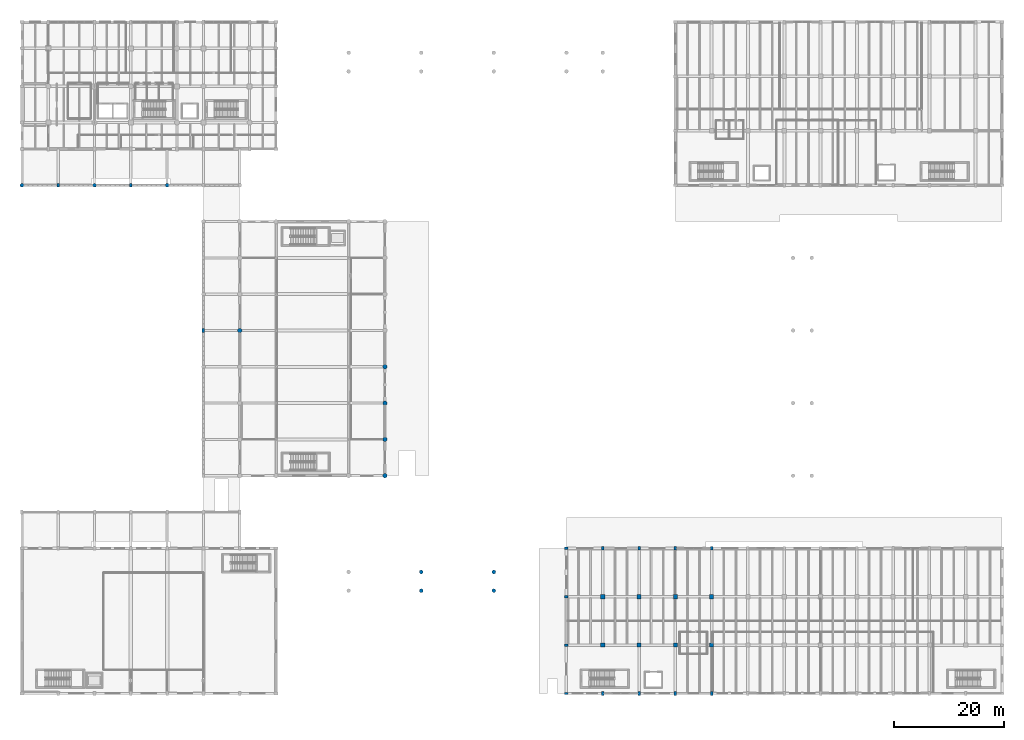
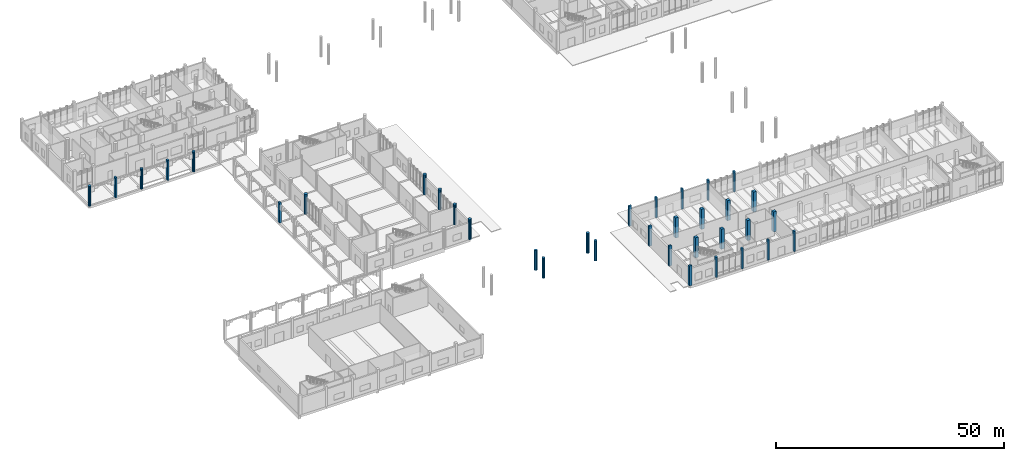
# One storey, part 3 of 72: 35 columns.
"""IFC4 building model written with IfcOpenShell, lengths in metres."""

from ifc_helpers import new_model, si_unit, direction, frame, origin, origin_2d, place, context, subcontext, project, spatial, rectangle, circle, extrude, material, material_profile, profile_set, type_object, element, save


model = new_model("IFC4")

# Units and contexts
model_context = context("Model", 3, precision=1e-05, world=origin(), true_north=direction((0.0, 1.0)))
body_context = subcontext(model_context, "Body", "Model", "MODEL_VIEW")
ifc_project = project(units=[si_unit("LENGTHUNIT", "METRE"), si_unit("AREAUNIT", "SQUARE_METRE"), si_unit("VOLUMEUNIT", "CUBIC_METRE"), si_unit("PLANEANGLEUNIT", "RADIAN"), si_unit("MASSUNIT", "GRAM", prefix="KILO")], contexts=[model_context])

# Site, building, storey
site_placement = place(None, origin())
site = spatial("IfcSite", under=ifc_project, at=site_placement, CompositionType="ELEMENT")
building_placement = place(site_placement, origin())
building = spatial("IfcBuilding", under=site, at=building_placement, Name="Dornvale Research Institute", CompositionType="ELEMENT")
storey_placement = place(building_placement, origin())
storey = spatial("IfcBuildingStorey", under=building, at=storey_placement, Name="L00", CompositionType="ELEMENT", Elevation=0.0)

# Columns
ifc_material_1 = material(Name="Concrete f'c 50 MPa (C40/50)", Category="concrete")
ifc_material_profile_1 = material_profile(ifc_material_1, rectangle(XDim=0.75, YDim=0.75, at=origin_2d()), Name="RC 750x750")
ifc_profile_set_1 = profile_set([ifc_material_profile_1], Name="Concrete f'c 50 MPa (C40/50)")
column_type_1 = type_object("IfcColumnType", Name="Column_RC750", PredefinedType="COLUMN", material=ifc_profile_set_1)
for number, where, z_axis, x_axis, name in (
    (1, (105.60009765625, 8.800048828125, 0.0), (0.0, 0.0, 1.0), (1.0, 0.0, 0.0), "L00 column #783"),
    (2, (105.60009765625, 17.60009765625, 0.0), (0.0, 0.0, 1.0), (1.0, 0.0, 0.0), "L00 column #784"),
    (3, (112.199951171875, 8.800048828125, 0.0), (0.0, 0.0, 1.0), (1.0, 0.0, 0.0), "L00 column #787"),
    (4, (112.199951171875, 17.60009765625, 0.0), (0.0, 0.0, 1.0), (1.0, 0.0, 0.0), "L00 column #788"),
    (5, (118.800048828125, 8.800048828125, 0.0), (0.0, 0.0, 1.0), (1.0, 0.0, 0.0), "L00 column #791"),
    (6, (118.800048828125, 17.60009765625, 0.0), (0.0, 0.0, 1.0), (1.0, 0.0, 0.0), "L00 column #792"),
    (7, (125.39990234375, 8.800048828125, 0.0), (0.0, 0.0, 1.0), (1.0, 0.0, 0.0), "L00 column #795"),
    (8, (125.39990234375, 17.60009765625, 0.0), (0.0, 0.0, 1.0), (1.0, 0.0, 0.0), "L00 column #796"),
):
    element("IfcColumn", number, at=place(storey_placement, frame(where, z_axis=z_axis, x_axis=x_axis)), inside=storey, type_object=column_type_1, Name=name, PredefinedType="COLUMN", context=body_context, shape_type="SweptSolid", body=[
        extrude(rectangle(XDim=0.75, YDim=0.75, at=origin_2d()), origin(), (0.0, 0.0, 1.0), 5.39990234375),
    ])
ifc_material_2 = material(Name="Concrete f'c 45 MPa (C35/45)", Category="concrete")
ifc_material_profile_2 = material_profile(ifc_material_2, circle(Radius=0.39990234375, at=origin_2d()), Name="RC DIA 800")
ifc_profile_set_2 = profile_set([ifc_material_profile_2], Name="Concrete f'c 45 MPa (C35/45)")
column_type_2 = type_object("IfcColumnType", Name="Column_RCDia800_Ext", PredefinedType="COLUMN", material=ifc_profile_set_2)
for number, where, z_axis, x_axis, name in (
    (9, (39.60009765625, 66.0, 0.0), (0.0, 0.0, 1.0), (1.0, 0.0, 0.0), "L00 column #1022"),
    (10, (66.0, 39.60009765625, 0.0), (0.0, 0.0, 1.0), (1.0, 0.0, 0.0), "L00 column #1042"),
    (11, (66.0, 46.199951171875, 0.0), (0.0, 0.0, 1.0), (1.0, 0.0, 0.0), "L00 column #1043"),
    (12, (66.0, 52.800048828125, 0.0), (0.0, 0.0, 1.0), (1.0, 0.0, 0.0), "L00 column #1044"),
    (13, (66.0, 59.39990234375, 0.0), (0.0, 0.0, 1.0), (1.0, 0.0, 0.0), "L00 column #1045"),
):
    element("IfcColumn", number, at=place(storey_placement, frame(where, z_axis=z_axis, x_axis=x_axis)), inside=storey, type_object=column_type_2, Name=name, PredefinedType="COLUMN", context=body_context, shape_type="SweptSolid", body=[
        extrude(circle(Radius=0.39990234375, at=origin_2d()), origin(), (0.0, 0.0, 1.0), 5.39990234375),
    ])
ifc_material_3 = material(Name="Concrete f'c 45 MPa (C35/45)", Category="concrete")
ifc_material_profile_3 = material_profile(ifc_material_3, rectangle(XDim=0.449951171875, YDim=0.64990234375, at=origin_2d()), Name="RC 450x650")
ifc_profile_set_3 = profile_set([ifc_material_profile_3], Name="Concrete f'c 45 MPa (C35/45)")
column_type_3 = type_object("IfcColumnType", Name="Pilaster_RC450x650_Ext", PredefinedType="PILASTER", material=ifc_profile_set_3)
for number, where, z_axis, x_axis, name in (
    (14, (99.0, 0.0, 0.0), (0.0, 0.0, 1.0), (0.0, 1.0, 0.0), "L00 column #778"),
    (15, (99.0, 8.800048828125, 0.0), (0.0, 0.0, 1.0), (0.0, 1.0, 0.0), "L00 column #779"),
    (16, (99.0, 17.60009765625, 0.0), (0.0, 0.0, 1.0), (0.0, 1.0, 0.0), "L00 column #780"),
    (17, (99.0, 26.39990234375, 0.0), (0.0, 0.0, 1.0), (0.0, 1.0, 0.0), "L00 column #781"),
    (18, (105.60009765625, 0.0, 0.0), (0.0, 0.0, 1.0), (1.0, 0.0, 0.0), "L00 column #782"),
    (19, (105.60009765625, 26.39990234375, 0.0), (0.0, 0.0, 1.0), (1.0, 0.0, 0.0), "L00 column #785"),
    (20, (112.199951171875, 0.0, 0.0), (0.0, 0.0, 1.0), (1.0, 0.0, 0.0), "L00 column #786"),
    (21, (112.199951171875, 26.39990234375, 0.0), (0.0, 0.0, 1.0), (1.0, 0.0, 0.0), "L00 column #789"),
    (22, (118.800048828125, 0.0, 0.0), (0.0, 0.0, 1.0), (1.0, 0.0, 0.0), "L00 column #790"),
    (23, (118.800048828125, 26.39990234375, 0.0), (0.0, 0.0, 1.0), (1.0, 0.0, 0.0), "L00 column #793"),
    (24, (125.39990234375, 0.0, 0.0), (0.0, 0.0, 1.0), (1.0, 0.0, 0.0), "L00 column #794"),
    (25, (125.39990234375, 26.39990234375, 0.0), (0.0, 0.0, 1.0), (1.0, 0.0, 0.0), "L00 column #797"),
    (26, (6.60009765625, 92.39990234375, 0.0), (0.0, 0.0, 1.0), (1.0, 0.0, 0.0), "L00 colonnade column #1227"),
    (27, (19.800048828125, 92.39990234375, 0.0), (0.0, 0.0, 1.0), (1.0, 0.0, 0.0), "L00 colonnade column #1231"),
    (28, (33.0, 66.0, 0.0), (0.0, 0.0, 1.0), (1.0, 0.0, 0.0), "L00 colonnade column #1247"),
):
    element("IfcColumn", number, at=place(storey_placement, frame(where, z_axis=z_axis, x_axis=x_axis)), inside=storey, type_object=column_type_3, Name=name, PredefinedType="PILASTER", context=body_context, shape_type="SweptSolid", body=[
        extrude(rectangle(XDim=0.449951171875, YDim=0.64990234375, at=origin_2d()), origin(), (0.0, 0.0, 1.0), 5.39990234375),
    ])
ifc_material_4 = material(Name="Concrete f'c 45 MPa (C35/45)", Category="concrete")
ifc_material_profile_4 = material_profile(ifc_material_4, circle(Radius=0.35009765625, at=origin_2d()), Name="RC DIA 700")
ifc_profile_set_4 = profile_set([ifc_material_profile_4], Name="Concrete f'c 45 MPa (C35/45)")
column_type_4 = type_object("IfcColumnType", Name="Pilaster_RCDia700_Arcade", PredefinedType="PILASTER", material=ifc_profile_set_4)
for number, where, z_axis, x_axis, name in (
    (29, (0.0, 92.39990234375, 0.0), (0.0, 0.0, 1.0), (1.0, 0.0, 0.0), "L00 colonnade column #1225"),
    (30, (13.199951171875, 92.39990234375, 0.0), (0.0, 0.0, 1.0), (1.0, 0.0, 0.0), "L00 colonnade column #1229"),
    (31, (26.39990234375, 92.39990234375, 0.0), (0.0, 0.0, 1.0), (1.0, 0.0, 0.0), "L00 colonnade column #1233"),
    (32, (72.60009765625, 18.699951171875, 0.0), (0.0, 0.0, 1.0), (1.0, 0.0, 0.0), "L00 cloister link bridge pier #36"),
    (33, (85.800048828125, 18.699951171875, 0.0), (0.0, 0.0, 1.0), (1.0, 0.0, 0.0), "L00 cloister link bridge pier #40"),
    (34, (72.60009765625, 22.10009765625, 0.0), (0.0, 0.0, 1.0), (1.0, 0.0, 0.0), "L00 cloister link bridge pier #48"),
    (35, (85.800048828125, 22.10009765625, 0.0), (0.0, 0.0, 1.0), (1.0, 0.0, 0.0), "L00 cloister link bridge pier #52"),
):
    element("IfcColumn", number, at=place(storey_placement, frame(where, z_axis=z_axis, x_axis=x_axis)), inside=storey, type_object=column_type_4, Name=name, PredefinedType="PILASTER", context=body_context, shape_type="SweptSolid", body=[
        extrude(circle(Radius=0.35009765625, at=origin_2d()), origin(), (0.0, 0.0, 1.0), 5.39990234375),
    ])

save(model, "model.ifc")
